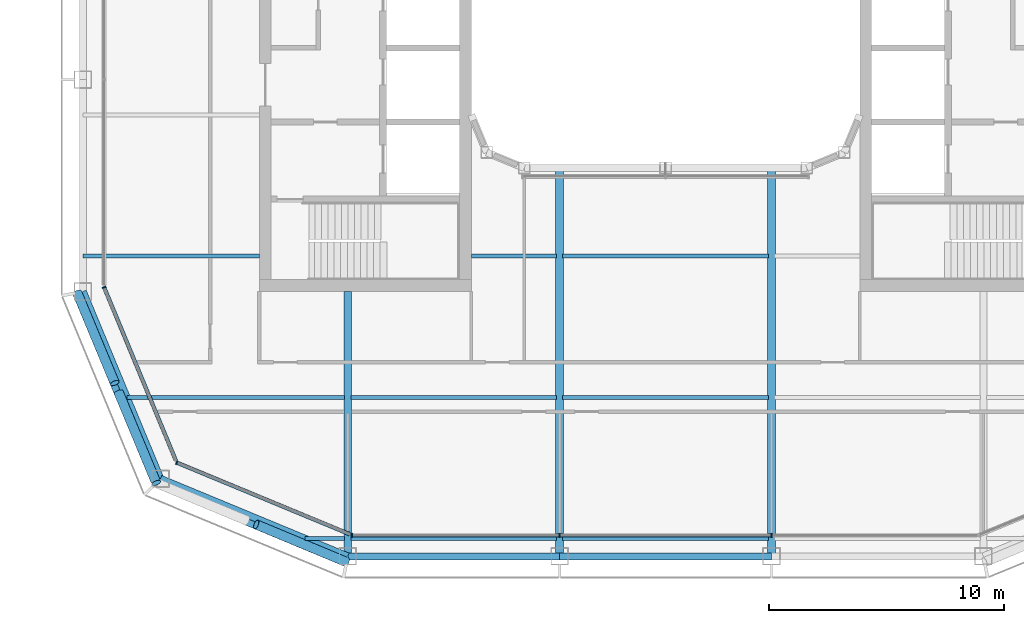
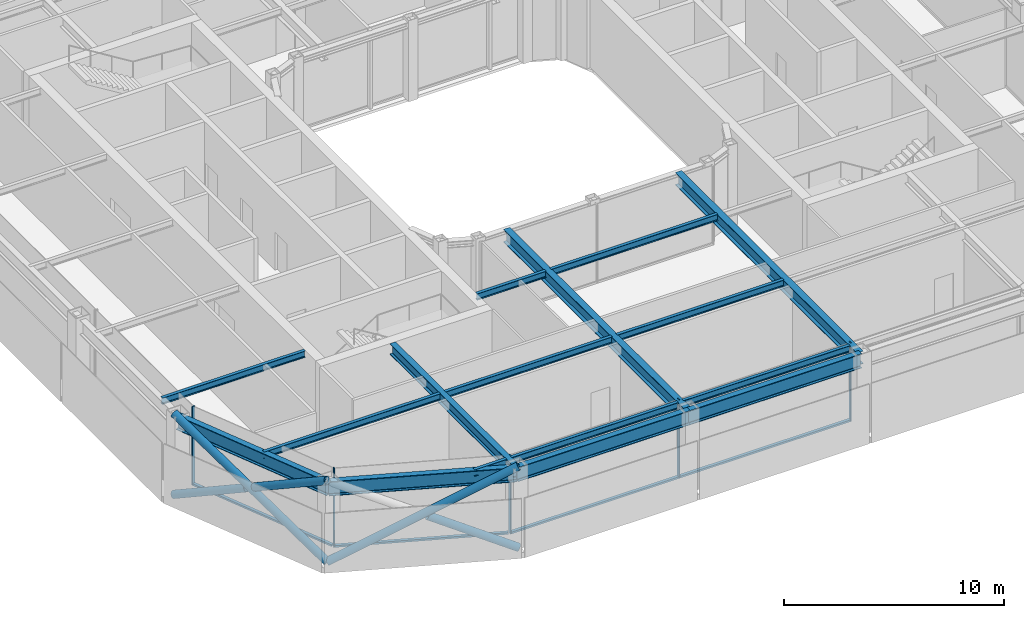
# One storey, part 2 of 21: 16 beams, 14 members, 3 elements without a shape of their own.
"""IFC4 building model written with IfcOpenShell, lengths in metres."""

from ifc_helpers import new_model, si_unit, direction, frame, origin, origin_2d, place, context, subcontext, project, spatial, rectangle, hollow_circle, i_section, extrude, material, layer, layer_set, material_profile, profile_set, type_object, element, aggregate, save


model = new_model("IFC4")

# Units and contexts
model_context = context("Model", 3, precision=1e-05, world=origin(), true_north=direction((0.0, 1.0)))
body_context = subcontext(model_context, "Body", "Model", "MODEL_VIEW")
ifc_project = project(units=[si_unit("LENGTHUNIT", "METRE"), si_unit("AREAUNIT", "SQUARE_METRE"), si_unit("VOLUMEUNIT", "CUBIC_METRE"), si_unit("PLANEANGLEUNIT", "RADIAN"), si_unit("MASSUNIT", "GRAM", prefix="KILO")], contexts=[model_context])

# Site, building, storey
site_placement = place(None, origin())
site = spatial("IfcSite", under=ifc_project, at=site_placement, CompositionType="ELEMENT")
building_placement = place(site_placement, origin())
building = spatial("IfcBuilding", under=site, at=building_placement, Name="Siwar Civic Tower", CompositionType="ELEMENT")
storey_placement = place(building_placement, frame((0.0, 0.0, 294.199951171875)))
storey = spatial("IfcBuildingStorey", under=building, at=storey_placement, Name="L63", CompositionType="ELEMENT", Elevation=294.199951171875)

# Curtain wall, members
ifc_material_1 = material(Name="Aluminium and glass", Category="aluminium")
ifc_layer_1 = layer(ifc_material_1, 0.159912109375)
ifc_layer_set_1 = layer_set([ifc_layer_1], Name="Aluminium and glass")
curtain_wall_type_1 = type_object("IfcCurtainWallType", Name="ENV-CW-D", PredefinedType="NOTDEFINED", material=ifc_layer_set_1)
curtain_wall_1_placement = place(storey_placement, origin())
curtain_wall_1 = element("IfcCurtainWall", 1, at=curtain_wall_1_placement, inside=storey, type_object=curtain_wall_type_1, Name="Curtain wall D S", PredefinedType="NOTDEFINED")
ifc_material_2 = material(Name="Aluminium 6063-T6", Category="aluminium")
ifc_material_profile_1 = material_profile(ifc_material_2, rectangle(XDim=0.159912109375, YDim=0.06005859375, at=origin_2d()), Name="AL 160x60")
ifc_profile_set_1 = profile_set([ifc_material_profile_1], Name="Aluminium 6063-T6")
member_type_1 = type_object("IfcMemberType", Name="ENV-MULLION-D", PredefinedType="MULLION", material=ifc_profile_set_1)
member_1_placement = place(storey_placement, frame((-13.321044921875, -23.85009765625, 0.0), z_axis=(0.0, 0.0, 1.0), x_axis=(0.0, 1.0, 0.0)))
member_1 = element("IfcMember", 2, at=member_1_placement, type_object=member_type_1, Name="Mullion D S 1", PredefinedType="MULLION", context=body_context, shape_type="SweptSolid", body=[
    extrude(rectangle(XDim=0.159912109375, YDim=0.06005859375, at=origin_2d()), origin(), (0.0, 0.0, 1.0), 4.35009765625),
])
member_2_placement = place(storey_placement, frame((-4.5, -23.85009765625, 0.0), z_axis=(0.0, 0.0, 1.0), x_axis=(0.0, 1.0, 0.0)))
member_2 = element("IfcMember", 3, at=member_2_placement, type_object=member_type_1, Name="Mullion D S 2", PredefinedType="MULLION", context=body_context, shape_type="SweptSolid", body=[
    extrude(rectangle(XDim=0.159912109375, YDim=0.06005859375, at=origin_2d()), origin(), (0.0, 0.0, 1.0), 4.35009765625),
])
member_3_placement = place(storey_placement, frame((4.5, -23.85009765625, 0.0), z_axis=(0.0, 0.0, 1.0), x_axis=(0.0, 1.0, 0.0)))
member_3 = element("IfcMember", 4, at=member_3_placement, type_object=member_type_1, Name="Mullion D S 3", PredefinedType="MULLION", context=body_context, shape_type="SweptSolid", body=[
    extrude(rectangle(XDim=0.159912109375, YDim=0.06005859375, at=origin_2d()), origin(), (0.0, 0.0, 1.0), 4.35009765625),
])

# Curtain wall, member
ifc_material_3 = material(Name="Aluminium clad insulated panel", Category="aluminium")
ifc_layer_2 = layer(ifc_material_3, 0.159912109375)
ifc_layer_set_2 = layer_set([ifc_layer_2], Name="Aluminium clad insulated panel")
curtain_wall_type_2 = type_object("IfcCurtainWallType", Name="ENV-CW-DX", PredefinedType="NOTDEFINED", material=ifc_layer_set_2)
curtain_wall_2_placement = place(storey_placement, origin())
curtain_wall_2 = element("IfcCurtainWall", 5, at=curtain_wall_2_placement, inside=storey, type_object=curtain_wall_type_2, Name="Curtain wall D SW1", PredefinedType="NOTDEFINED")
member_4_placement = place(storey_placement, frame((-23.85009765625, -13.321044921875, 0.0), z_axis=(0.0, 0.0, 1.0), x_axis=(0.923879532511, 0.382683432365, 0.0)))
member_4 = element("IfcMember", 6, at=member_4_placement, type_object=member_type_1, Name="Mullion D SW1 1", PredefinedType="MULLION", context=body_context, shape_type="SweptSolid", body=[
    extrude(rectangle(XDim=0.159912109375, YDim=0.06005859375, at=origin_2d()), origin(), (0.0, 0.0, 1.0), 4.35009765625),
])

curtain_wall_3_placement = place(storey_placement, origin())
curtain_wall_3 = element("IfcCurtainWall", 7, at=curtain_wall_3_placement, inside=storey, type_object=curtain_wall_type_2, Name="Curtain wall D SW2", PredefinedType="NOTDEFINED")
member_5_placement = place(storey_placement, frame((-20.76611328125, -20.76611328125, 0.0), z_axis=(0.0, 0.0, 1.0), x_axis=(0.382683432365, 0.923879532511, 0.0)))
member_5 = element("IfcMember", 8, at=member_5_placement, type_object=member_type_1, Name="Mullion D SW2 1", PredefinedType="MULLION", context=body_context, shape_type="SweptSolid", body=[
    extrude(rectangle(XDim=0.159912109375, YDim=0.06005859375, at=origin_2d()), origin(), (0.0, 0.0, 1.0), 4.35009765625),
])

# Member
ifc_material_4 = material(Name="Aluminium 6063-T6", Category="aluminium")
ifc_material_profile_2 = material_profile(ifc_material_4, rectangle(XDim=0.159912109375, YDim=0.10009765625, at=origin_2d()), Name="AL 160x100")
ifc_profile_set_2 = profile_set([ifc_material_profile_2], Name="Aluminium 6063-T6")
member_type_2 = type_object("IfcMemberType", Name="ENV-TRANSOM-D", PredefinedType="USERDEFINED", material=ifc_profile_set_2)
member_6_placement = place(storey_placement, frame((-13.291015625, -23.85009765625, 0.050048828125), z_axis=(1.0, 0.0, 0.0), x_axis=(0.0, 1.0, 0.0)))
member_6 = element("IfcMember", 9, at=member_6_placement, type_object=member_type_2, Name="Transom D S 1", ObjectType="TRANSOM", PredefinedType="USERDEFINED", context=body_context, shape_type="SweptSolid", body=[
    extrude(rectangle(XDim=0.159912109375, YDim=0.10009765625, at=origin_2d()), origin(), (0.0, 0.0, 1.0), 8.760986328125),
])

member_7_placement = place(storey_placement, frame((-4.469970703125, -23.85009765625, 0.050048828125), z_axis=(1.0, 0.0, 0.0), x_axis=(0.0, 1.0, 0.0)))
member_7 = element("IfcMember", 10, at=member_7_placement, type_object=member_type_2, Name="Transom D S 2", ObjectType="TRANSOM", PredefinedType="USERDEFINED", context=body_context, shape_type="SweptSolid", body=[
    extrude(rectangle(XDim=0.159912109375, YDim=0.10009765625, at=origin_2d()), origin(), (0.0, 0.0, 1.0), 8.93994140625),
])

aggregate(curtain_wall_1, [member_1, member_2, member_3, member_6, member_7])

member_8_placement = place(storey_placement, frame((-23.838623046875, -13.3486328125, 0.050048828125), z_axis=(0.382699790424, -0.923872756612, 0.0), x_axis=(0.923872756612, 0.382699790424, 0.0)))
member_8 = element("IfcMember", 11, at=member_8_placement, type_object=member_type_2, Name="Transom D SW1 1", ObjectType="TRANSOM", PredefinedType="USERDEFINED", context=body_context, shape_type="SweptSolid", body=[
    extrude(rectangle(XDim=0.159912109375, YDim=0.10009765625, at=origin_2d()), origin(), (0.0, 0.0, 1.0), 7.930908203125),
])

aggregate(curtain_wall_2, [member_4, member_8])

member_9_placement = place(storey_placement, frame((-20.738525390625, -20.777587890625, 0.050048828125), z_axis=(0.923883640343, -0.382673515031, 0.0), x_axis=(0.382673515031, 0.923883640343, 0.0)))
member_9 = element("IfcMember", 12, at=member_9_placement, type_object=member_type_2, Name="Transom D SW2 1", ObjectType="TRANSOM", PredefinedType="USERDEFINED", context=body_context, shape_type="SweptSolid", body=[
    extrude(rectangle(XDim=0.159912109375, YDim=0.10009765625, at=origin_2d()), origin(), (0.0, 0.0, 1.0), 7.930908203125),
])

aggregate(curtain_wall_3, [member_5, member_9])

# Members
ifc_material_5 = material(Name="Steel S355", Category="steel")
ifc_material_profile_3 = material_profile(ifc_material_5, hollow_circle(Radius=0.203125, WallThickness=0.01611328125, at=origin_2d()), Name="CHS406.4x16")
ifc_profile_set_3 = profile_set([ifc_material_profile_3], Name="Steel S355")
member_type_3 = type_object("IfcMemberType", Name="STR-BR-CHS406.4x16", PredefinedType="BRACE", material=ifc_profile_set_3)
member_10_placement = place(storey_placement, frame((-21.6318359375, -21.6318359375, 0.0), z_axis=(0.821142553604, -0.341671493852, 0.457149315816), x_axis=(0.384163874976, 0.923264922524, 0.0)))
element("IfcMember", 13, at=member_10_placement, inside=storey, type_object=member_type_3, Name="L63/brc/DSW1-2-0-1", PredefinedType="BRACE", context=body_context, shape_type="SweptSolid", body=[
    extrude(hollow_circle(Radius=0.203125, WallThickness=0.01611328125, at=origin_2d()), origin(), (0.0, 0.0, 1.0), 9.843505859375),
])
member_11_placement = place(storey_placement, frame((-13.548828125, -24.9951171875, 0.0), z_axis=(-0.821130093572, 0.341659024948, 0.45718101459), x_axis=(-0.384156893273, -0.923267827529, 0.0)))
element("IfcMember", 14, at=member_11_placement, inside=storey, type_object=member_type_3, Name="L63/brc/DSW1-2-0-2", PredefinedType="BRACE", context=body_context, shape_type="SweptSolid", body=[
    extrude(hollow_circle(Radius=0.203125, WallThickness=0.01611328125, at=origin_2d()), origin(), (0.0, 0.0, 1.0), 4.677001953125),
])
member_12_placement = place(storey_placement, frame((-21.6318359375, -21.6318359375, 0.0), z_axis=(-0.341671493852, 0.821142553604, 0.457149315816), x_axis=(-0.923264922524, -0.384163874976, 0.0)))
element("IfcMember", 15, at=member_12_placement, inside=storey, type_object=member_type_3, Name="L63/brc/DSW1-2-0-0", PredefinedType="BRACE", context=body_context, shape_type="SweptSolid", body=[
    extrude(hollow_circle(Radius=0.203125, WallThickness=0.01611328125, at=origin_2d()), origin(), (0.0, 0.0, 1.0), 9.843505859375),
])
for number, where, z_axis, x_axis, name in (
    (16, (-24.9951171875, -13.548828125, 0.0), (0.341659024948, -0.821130093572, 0.45718101459), (0.923267827529, 0.384156893273, 0.0), "L63/brc/DSW1-2-0-4"),
    (17, (-23.229736328125, -17.791259765625, 2.362060546875), (0.341652533125, -0.821166691915, 0.457120127208), (0.923276488787, 0.38413607648, 0.0), "L63/brc/DSW1-2-0-5"),
):
    element("IfcMember", number, at=place(storey_placement, frame(where, z_axis=z_axis, x_axis=x_axis)), inside=storey, type_object=member_type_3, Name=name, PredefinedType="BRACE", context=body_context, shape_type="SweptSolid", body=[
        extrude(hollow_circle(Radius=0.203125, WallThickness=0.01611328125, at=origin_2d()), origin(), (0.0, 0.0, 1.0), 4.677001953125),
    ])

# Beams
ifc_material_6 = material(Name="Steel S355", Category="steel")
ifc_material_profile_4 = material_profile(ifc_material_6, i_section(OverallWidth=0.169921875, OverallDepth=0.360107421875, WebThickness=0.008056640625, FlangeThickness=0.0126953125, FilletRadius=0.01806640625, at=origin_2d()), Name="IPE360")
ifc_profile_set_4 = profile_set([ifc_material_profile_4], Name="Steel S355")
beam_type_1 = type_object("IfcBeamType", Name="STR-FB-IPE360", PredefinedType="JOIST", material=ifc_profile_set_4)
beam_1_placement = place(storey_placement, frame((-15.310546875, -24.0, 4.170166015625), z_axis=(1.0, 0.0, 0.0), x_axis=(0.0, 1.0, 0.0)))
element("IfcBeam", 18, at=beam_1_placement, inside=storey, type_object=beam_type_1, Name="L63/bm/F001", PredefinedType="JOIST", context=body_context, shape_type="SweptSolid", body=[
    extrude(i_section(OverallWidth=0.169921875, OverallDepth=0.360107421875, WebThickness=0.008056640625, FlangeThickness=0.0126953125, FilletRadius=0.01806640625, at=origin_2d()), origin(), (0.0, 0.0, 1.0), 1.6806640625),
])
for number, where, z_axis, x_axis, name in (
    (19, (-13.3701171875, -24.0, 4.170166015625), (1.0, 0.0, 0.0), (0.0, 1.0, 0.0), "L63/bm/F002"),
    (20, (-4.3701171875, -24.0, 4.170166015625), (1.0, 0.0, 0.0), (0.0, 1.0, 0.0), "L63/bm/F003"),
):
    element("IfcBeam", number, at=place(storey_placement, frame(where, z_axis=z_axis, x_axis=x_axis)), inside=storey, type_object=beam_type_1, Name=name, PredefinedType="JOIST", context=body_context, shape_type="SweptSolid", body=[
        extrude(i_section(OverallWidth=0.169921875, OverallDepth=0.360107421875, WebThickness=0.008056640625, FlangeThickness=0.0126953125, FilletRadius=0.01806640625, at=origin_2d()), origin(), (0.0, 0.0, 1.0), 8.740234375),
    ])
beam_2_placement = place(storey_placement, frame((-22.885986328125, -18.0, 4.170166015625), z_axis=(1.0, 0.0, 0.0), x_axis=(0.0, 1.0, 0.0)))
element("IfcBeam", 21, at=beam_2_placement, inside=storey, type_object=beam_type_1, Name="L63/bm/F006", PredefinedType="JOIST", context=body_context, shape_type="SweptSolid", body=[
    extrude(i_section(OverallWidth=0.169921875, OverallDepth=0.360107421875, WebThickness=0.008056640625, FlangeThickness=0.0126953125, FilletRadius=0.01806640625, at=origin_2d()), origin(), (0.0, 0.0, 1.0), 9.256103515625),
])
for number, where, z_axis, x_axis, name in (
    (22, (-13.3701171875, -18.0, 4.170166015625), (1.0, 0.0, 0.0), (0.0, 1.0, 0.0), "L63/bm/F007"),
    (23, (-4.3701171875, -18.0, 4.170166015625), (1.0, 0.0, 0.0), (0.0, 1.0, 0.0), "L63/bm/F008"),
):
    element("IfcBeam", number, at=place(storey_placement, frame(where, z_axis=z_axis, x_axis=x_axis)), inside=storey, type_object=beam_type_1, Name=name, PredefinedType="JOIST", context=body_context, shape_type="SweptSolid", body=[
        extrude(i_section(OverallWidth=0.169921875, OverallDepth=0.360107421875, WebThickness=0.008056640625, FlangeThickness=0.0126953125, FilletRadius=0.01806640625, at=origin_2d()), origin(), (0.0, 0.0, 1.0), 8.740234375),
    ])
beam_3_placement = place(storey_placement, frame((-24.75, -12.0, 4.170166015625), z_axis=(1.0, 0.0, 0.0), x_axis=(0.0, 1.0, 0.0)))
element("IfcBeam", 24, at=beam_3_placement, inside=storey, type_object=beam_type_1, Name="L63/bm/F011", PredefinedType="JOIST", context=body_context, shape_type="SweptSolid", body=[
    extrude(i_section(OverallWidth=0.169921875, OverallDepth=0.360107421875, WebThickness=0.008056640625, FlangeThickness=0.0126953125, FilletRadius=0.01806640625, at=origin_2d()), origin(), (0.0, 0.0, 1.0), 7.5),
])
beam_4_placement = place(storey_placement, frame((-8.25, -12.0, 4.170166015625), z_axis=(1.0, 0.0, 0.0), x_axis=(0.0, 1.0, 0.0)))
element("IfcBeam", 25, at=beam_4_placement, inside=storey, type_object=beam_type_1, Name="L63/bm/F012", PredefinedType="JOIST", context=body_context, shape_type="SweptSolid", body=[
    extrude(i_section(OverallWidth=0.169921875, OverallDepth=0.360107421875, WebThickness=0.008056640625, FlangeThickness=0.0126953125, FilletRadius=0.01806640625, at=origin_2d()), origin(), (0.0, 0.0, 1.0), 3.6201171875),
])
beam_5_placement = place(storey_placement, frame((-4.3701171875, -12.0, 4.170166015625), z_axis=(1.0, 0.0, 0.0), x_axis=(0.0, 1.0, 0.0)))
element("IfcBeam", 26, at=beam_5_placement, inside=storey, type_object=beam_type_1, Name="L63/bm/F013", PredefinedType="JOIST", context=body_context, shape_type="SweptSolid", body=[
    extrude(i_section(OverallWidth=0.169921875, OverallDepth=0.360107421875, WebThickness=0.008056640625, FlangeThickness=0.0126953125, FilletRadius=0.01806640625, at=origin_2d()), origin(), (0.0, 0.0, 1.0), 8.740234375),
])
ifc_material_7 = material(Name="Steel S355", Category="steel")
ifc_material_profile_5 = material_profile(ifc_material_7, i_section(OverallWidth=0.300048828125, OverallDepth=0.60009765625, WebThickness=0.015380859375, FlangeThickness=0.030029296875, FilletRadius=0.027099609375, at=origin_2d()), Name="HEB600")
ifc_profile_set_5 = profile_set([ifc_material_profile_5], Name="Steel S355")
beam_type_2 = type_object("IfcBeamType", Name="STR-PG-HEB600", PredefinedType="BEAM", material=ifc_profile_set_5)
beam_6_placement = place(storey_placement, frame((-13.5, -24.75, 4.050048828125), z_axis=(0.0, 1.0, 0.0), x_axis=(-1.0, 0.0, 0.0)))
element("IfcBeam", 27, at=beam_6_placement, inside=storey, type_object=beam_type_2, Name="L63/bm/G01", PredefinedType="BEAM", context=body_context, shape_type="SweptSolid", body=[
    extrude(i_section(OverallWidth=0.300048828125, OverallDepth=0.60009765625, WebThickness=0.015380859375, FlangeThickness=0.030029296875, FilletRadius=0.027099609375, at=origin_2d()), origin(), (0.0, 0.0, 1.0), 11.25),
])
ifc_material_8 = material(Name="Steel S355", Category="steel")
ifc_material_profile_6 = material_profile(ifc_material_8, i_section(OverallWidth=0.340087890625, OverallDepth=0.699951171875, WebThickness=0.013916015625, FlangeThickness=0.030029296875, at=origin_2d()), Name="PG700x340x14x30")
ifc_profile_set_6 = profile_set([ifc_material_profile_6], Name="Steel S355")
beam_type_3 = type_object("IfcBeamType", Name="STR-PG-PG700x340x14x30", PredefinedType="BEAM", material=ifc_profile_set_6)
for number, where, z_axis, x_axis, name in (
    (28, (-4.5, -24.75, 4.0), (0.0, 1.0, 0.0), (-1.0, 0.0, 0.0), "L63/bm/G03"),
    (29, (4.5, -24.75, 4.0), (0.0, 1.0, 0.0), (-1.0, 0.0, 0.0), "L63/bm/G05"),
):
    element("IfcBeam", number, at=place(storey_placement, frame(where, z_axis=z_axis, x_axis=x_axis)), inside=storey, type_object=beam_type_3, Name=name, PredefinedType="BEAM", context=body_context, shape_type="SweptSolid", body=[
        extrude(i_section(OverallWidth=0.340087890625, OverallDepth=0.699951171875, WebThickness=0.013916015625, FlangeThickness=0.030029296875, at=origin_2d()), origin(), (0.0, 0.0, 1.0), 16.5),
    ])
ifc_material_9 = material(Name="Steel S355", Category="steel")
ifc_material_profile_7 = material_profile(ifc_material_9, i_section(OverallWidth=0.300048828125, OverallDepth=0.800048828125, WebThickness=0.017578125, FlangeThickness=0.032958984375, FilletRadius=0.030029296875, at=origin_2d()), Name="HEB800")
ifc_profile_set_7 = profile_set([ifc_material_profile_7], Name="Steel S355")
beam_type_4 = type_object("IfcBeamType", Name="STR-SB-HEB800", PredefinedType="BEAM", material=ifc_profile_set_7)
for number, where, z_axis, x_axis, name in (
    (30, (-13.5, -24.75, 3.949951171875), (1.0, 0.0, 0.0), (0.0, 1.0, 0.0), "L63/bm/SS-0"),
    (31, (-4.5, -24.75, 3.949951171875), (1.0, 0.0, 0.0), (0.0, 1.0, 0.0), "L63/bm/SS-1"),
):
    element("IfcBeam", number, at=place(storey_placement, frame(where, z_axis=z_axis, x_axis=x_axis)), inside=storey, type_object=beam_type_4, Name=name, PredefinedType="BEAM", context=body_context, shape_type="SweptSolid", body=[
        extrude(i_section(OverallWidth=0.300048828125, OverallDepth=0.800048828125, WebThickness=0.017578125, FlangeThickness=0.032958984375, FilletRadius=0.030029296875, at=origin_2d()), origin(), (0.0, 0.0, 1.0), 9.0),
    ])
for number, where, z_axis, x_axis, name in (
    (32, (-24.75, -13.5, 3.949951171875), (0.382699877515, -0.923872720536, 0.0), (0.923872720536, 0.382699877515, 0.0), "L63/bm/SSW1-0"),
    (33, (-21.454833984375, -21.454833984375, 3.949951171875), (0.923872720536, -0.382699877515, 0.0), (0.382699877515, 0.923872720536, 0.0), "L63/bm/SSW2-0"),
):
    element("IfcBeam", number, at=place(storey_placement, frame(where, z_axis=z_axis, x_axis=x_axis)), inside=storey, type_object=beam_type_4, Name=name, PredefinedType="BEAM", context=body_context, shape_type="SweptSolid", body=[
        extrude(i_section(OverallWidth=0.300048828125, OverallDepth=0.800048828125, WebThickness=0.017578125, FlangeThickness=0.032958984375, FilletRadius=0.030029296875, at=origin_2d()), origin(), (0.0, 0.0, 1.0), 8.6103515625),
    ])

save(model, "model.ifc")
